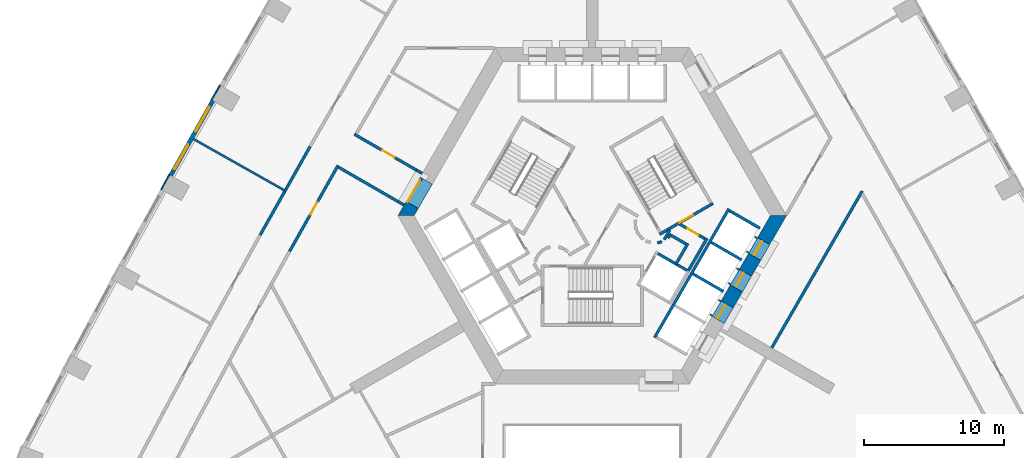
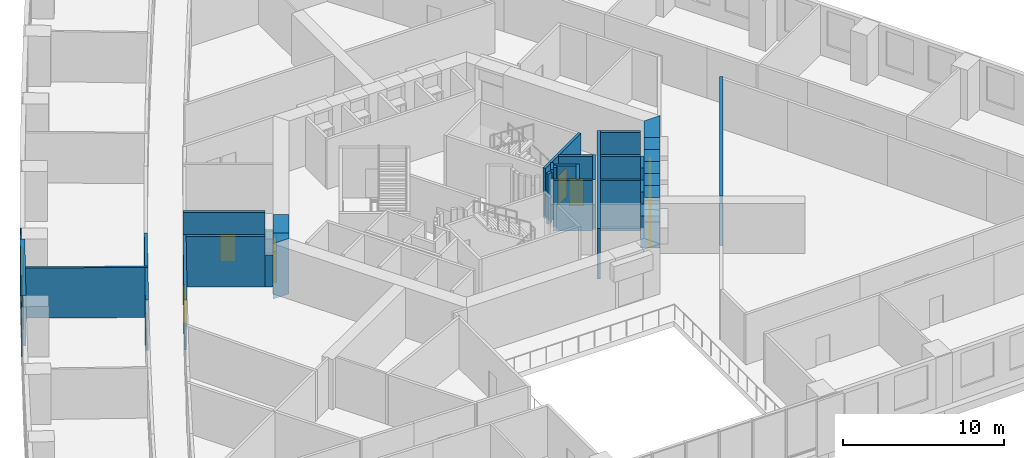
# One storey, part 7 of 16: 37 walls, 8 doors, 2 windows, 10 openings.
"""IFC4 building model written with IfcOpenShell, lengths in metres."""

from ifc_helpers import new_model, si_unit, direction, frame, frame_2d, origin, place, context, subcontext, project, spatial, polyline, rectangle, outline, extrude, material, layer, layer_set, type_object, element, fill, save


model = new_model("IFC4")

# Units and contexts
model_context = context("Model", 3, precision=1e-05, world=origin(), true_north=direction((0.0, 1.0)))
body_context = subcontext(model_context, "Body", "Model", "MODEL_VIEW")
ifc_project = project(units=[si_unit("LENGTHUNIT", "METRE"), si_unit("AREAUNIT", "SQUARE_METRE"), si_unit("VOLUMEUNIT", "CUBIC_METRE"), si_unit("PLANEANGLEUNIT", "RADIAN"), si_unit("MASSUNIT", "GRAM", prefix="KILO")], contexts=[model_context])

# Site, building, storey
site_placement = place(None, origin())
site = spatial("IfcSite", under=ifc_project, at=site_placement, CompositionType="ELEMENT")
building_placement = place(site_placement, origin())
building = spatial("IfcBuilding", under=site, at=building_placement, Name="Entoto Arch Interchange Tower", CompositionType="ELEMENT")
storey_placement = place(building_placement, frame((0.0, 0.0, 47.60009765625)))
storey = spatial("IfcBuildingStorey", under=building, at=storey_placement, Name="L09", CompositionType="ELEMENT", Elevation=47.60009765625)

# Wall, opening, door
ifc_material_1 = material(Name="Reinforced concrete C40/50", Category="concrete")
ifc_layer_1 = layer(ifc_material_1, 0.199951171875)
ifc_layer_set_1 = layer_set([ifc_layer_1], Name="Reinforced concrete C40/50")
wall_type_1 = type_object("IfcWallType", Name="CORE GAP INFILL WALL", PredefinedType="PARTITIONING", material=ifc_layer_set_1)
wall_1_placement = place(storey_placement, frame((-12.179931640625, 5.201904296875, 0.0), z_axis=(0.0, 0.0, 1.0), x_axis=(-0.50002537861, -0.866010750942, 0.0)))
wall_1 = element("IfcWall", 1, at=wall_1_placement, inside=storey, type_object=wall_type_1, Name="wall:L09:gap3", PredefinedType="PARTITIONING", context=body_context, shape_type="SweptSolid", body=[
    extrude(rectangle(XDim=2.0, YDim=0.199951171875, at=frame_2d((1.0, 0.0))), origin(), (0.0, 0.0, 1.0), 2.39990234375),
])
opening_1_placement = place(wall_1_placement, frame((0.18994140625, 0.0, 0.0)))
opening_1 = element("IfcOpeningElement", 2, at=opening_1_placement, cuts=wall_1, Name="Opening L09-D93", PredefinedType="OPENING", context=body_context, shape_type="SweptSolid", body=[
    extrude(rectangle(XDim=1.800048828125, YDim=2.10009765625, at=frame_2d((0.89990234375, 1.050048828125))), frame((0.0, 0.10986328125, 0.0), z_axis=(0.0, -1.0, 0.0), x_axis=(1.0, 0.0, 0.0)), (0.0, 0.0, 1.0), 0.219970703125),
])
ifc_material_2 = material(Name="Fire-rated Steel S235 door and frame", Category="steel")
door_type_1 = type_object("IfcDoorType", Name="DOOR FD-18 1800x2100", OperationType="DOUBLE_DOOR_SINGLE_SWING", PredefinedType="DOOR", material=ifc_material_2)
door_1_placement = place(opening_1_placement, origin())
door_1 = element("IfcDoor", 3, at=door_1_placement, inside=storey, type_object=door_type_1, Name="door:L09:gap3", OperationType="DOUBLE_DOOR_SINGLE_SWING", OverallHeight=2.10009765625, OverallWidth=1.800048828125, PredefinedType="DOOR", context=body_context, shape_type="SweptSolid", body=[
    extrude(rectangle(XDim=1.800048828125, YDim=2.10009765625, at=frame_2d((0.89990234375, 1.050048828125))), frame((0.0, 0.02490234375, 0.0), z_axis=(0.0, -1.0, 0.0), x_axis=(1.0, 0.0, 0.0)), (0.0, 0.0, 1.0), 0.050048828125),
])
fill(opening_1, door_1)

# Walls
ifc_material_3 = material(Name="Concrete C60/75", Category="concrete")
ifc_layer_2 = layer(ifc_material_3, 1.0)
ifc_layer_set_2 = layer_set([ifc_layer_2], Name="Concrete C60/75")
wall_type_2 = type_object("IfcWallType", Name="Core wall 1000 C60/75", PredefinedType="SHEAR", material=ifc_layer_set_2)
wall_2_placement = place(storey_placement, frame((0.0, 0.0, -0.400146484375)))
element("IfcWall", 4, at=wall_2_placement, inside=storey, type_object=wall_type_2, Name="Core wall NW L09", PredefinedType="SHEAR", context=body_context, shape_type="SweptSolid", body=[
    extrude(outline(polyline([(-12.402099609375, 3.02001953125), (-13.26708984375, 3.52001953125), (-13.85595703125, 2.5), (-12.701904296875, 2.5), (-12.402099609375, 3.02001953125)])), origin(), (0.0, 0.0, 1.0), 4.199951171875),
])
wall_3_placement = place(storey_placement, frame((0.0, 0.0, 3.599853515625)))
element("IfcWall", 5, at=wall_3_placement, inside=storey, type_object=wall_type_2, Name="Core wall lintel NW L09", PredefinedType="SHEAR", context=body_context, shape_type="SweptSolid", body=[
    extrude(outline(polyline([(-13.26708984375, 3.52001953125), (-12.402099609375, 3.02001953125), (-11.402099609375, 4.751953125), (-12.26708984375, 5.251953125), (-13.26708984375, 3.52001953125)])), origin(), (0.0, 0.0, 1.0), 0.199951171875),
])
wall_4_placement = place(storey_placement, frame((0.0, 0.0, -0.400146484375)))
element("IfcWall", 6, at=wall_4_placement, inside=storey, type_object=wall_type_2, Name="Core wall SE L09", PredefinedType="SHEAR", context=body_context, shape_type="SweptSolid", body=[
    extrude(outline(polyline([(10.717041015625, -2.93701171875), (9.85107421875, -2.43701171875), (9.200927734375, -3.56298828125), (10.06689453125, -4.06298828125), (10.717041015625, -2.93701171875)])), origin(), (0.0, 0.0, 1.0), 4.199951171875),
])
wall_5_placement = place(storey_placement, frame((0.0, 0.0, -0.400146484375)))
element("IfcWall", 7, at=wall_5_placement, inside=storey, type_object=wall_type_2, Name="Core wall SE L09", PredefinedType="SHEAR", context=body_context, shape_type="SweptSolid", body=[
    extrude(outline(polyline([(12.01708984375, -0.68603515625), (11.15087890625, -0.18603515625), (10.5009765625, -1.31103515625), (11.366943359375, -1.81103515625), (12.01708984375, -0.68603515625)])), origin(), (0.0, 0.0, 1.0), 4.199951171875),
])
wall_6_placement = place(storey_placement, frame((0.0, 0.0, -0.400146484375)))
element("IfcWall", 8, at=wall_6_placement, inside=storey, type_object=wall_type_2, Name="Core wall SE L09", PredefinedType="SHEAR", context=body_context, shape_type="SweptSolid", body=[
    extrude(outline(polyline([(11.801025390625, 0.93994140625), (12.6669921875, 0.43994140625), (13.85595703125, 2.5), (12.701904296875, 2.5), (11.801025390625, 0.93994140625)])), origin(), (0.0, 0.0, 1.0), 4.199951171875),
])
wall_7_placement = place(storey_placement, frame((0.0, 0.0, 3.599853515625)))
element("IfcWall", 9, at=wall_7_placement, inside=storey, type_object=wall_type_2, Name="Core wall lintel SE L09", PredefinedType="SHEAR", context=body_context, shape_type="SweptSolid", body=[
    extrude(outline(polyline([(10.06689453125, -4.06298828125), (9.200927734375, -3.56298828125), (8.551025390625, -4.68896484375), (9.4169921875, -5.18896484375), (10.06689453125, -4.06298828125)])), origin(), (0.0, 0.0, 1.0), 0.199951171875),
])
wall_8_placement = place(storey_placement, frame((0.0, 0.0, 3.599853515625)))
element("IfcWall", 10, at=wall_8_placement, inside=storey, type_object=wall_type_2, Name="Core wall lintel SE L09", PredefinedType="SHEAR", context=body_context, shape_type="SweptSolid", body=[
    extrude(outline(polyline([(11.366943359375, -1.81103515625), (10.5009765625, -1.31103515625), (9.85107421875, -2.43701171875), (10.717041015625, -2.93701171875), (11.366943359375, -1.81103515625)])), origin(), (0.0, 0.0, 1.0), 0.199951171875),
])
wall_9_placement = place(storey_placement, frame((0.0, 0.0, 3.599853515625)))
element("IfcWall", 11, at=wall_9_placement, inside=storey, type_object=wall_type_2, Name="Core wall lintel SE L09", PredefinedType="SHEAR", context=body_context, shape_type="SweptSolid", body=[
    extrude(outline(polyline([(12.6669921875, 0.43994140625), (11.801025390625, 0.93994140625), (11.15087890625, -0.18603515625), (12.01708984375, -0.68603515625), (12.6669921875, 0.43994140625)])), origin(), (0.0, 0.0, 1.0), 0.199951171875),
])

# Wall, opening, door
ifc_material_4 = material(Name="Concrete C40/50", Category="concrete")
ifc_layer_3 = layer(ifc_material_4, 1.199951171875)
ifc_layer_set_3 = layer_set([ifc_layer_3], Name="Concrete C40/50")
wall_type_3 = type_object("IfcWallType", Name="LIFT LANDING INFILL WALL", PredefinedType="STANDARD", material=ifc_layer_set_3)
wall_10_placement = place(storey_placement, frame((8.89794921875, -4.888916015625, 0.0), z_axis=(0.0, 0.0, 1.0), x_axis=(0.500036693733, 0.866004217611, 0.0)))
wall_10 = element("IfcWall", 12, at=wall_10_placement, inside=storey, type_object=wall_type_3, Name="Lift landing infill wall LR6 L09", PredefinedType="STANDARD", context=body_context, shape_type="SweptSolid", body=[
    extrude(rectangle(XDim=1.30029296875, YDim=1.199951171875, at=frame_2d((0.650146484375, 0.0))), origin(), (0.0, 0.0, 1.0), 2.39990234375),
])
opening_2_placement = place(wall_10_placement, frame((0.10009765625, 0.0, 0.0)))
opening_2 = element("IfcOpeningElement", 13, at=opening_2_placement, cuts=wall_10, Name="Opening LD-LR6-L09", PredefinedType="OPENING", context=body_context, shape_type="SweptSolid", body=[
    extrude(rectangle(XDim=1.10009765625, YDim=2.300048828125, at=frame_2d((0.550048828125, 1.14990234375))), frame((0.0, 0.60986328125, 0.0), z_axis=(0.0, -1.0, 0.0), x_axis=(1.0, 0.0, 0.0)), (0.0, 0.0, 1.0), 1.219970703125),
])
ifc_material_5 = material(Name="Stainless steel 1.4301 panels", Category="steel")
door_type_2 = type_object("IfcDoorType", Name="LIFT LANDING DOOR LD2 1100x2300", OperationType="SLIDING_TO_LEFT", PredefinedType="DOOR", material=ifc_material_5)
door_2_placement = place(opening_2_placement, origin())
door_2 = element("IfcDoor", 14, at=door_2_placement, inside=storey, type_object=door_type_2, Name="Lift landing door LR6 L09", OperationType="SLIDING_TO_LEFT", OverallHeight=2.300048828125, OverallWidth=1.10009765625, PredefinedType="DOOR", context=body_context, shape_type="SweptSolid", body=[
    extrude(rectangle(XDim=1.10009765625, YDim=2.300048828125, at=frame_2d((0.550048828125, 1.14990234375))), frame((0.0, 0.02490234375, 0.0), z_axis=(0.0, -1.0, 0.0), x_axis=(1.0, 0.0, 0.0)), (0.0, 0.0, 1.0), 0.050048828125),
])
fill(opening_2, door_2)

wall_11_placement = place(storey_placement, frame((10.197998046875, -2.636962890625, 0.0), z_axis=(0.0, 0.0, 1.0), x_axis=(0.49989585183, 0.866085525409, 0.0)))
wall_11 = element("IfcWall", 15, at=wall_11_placement, inside=storey, type_object=wall_type_3, Name="Lift landing infill wall LR7 L09", PredefinedType="STANDARD", context=body_context, shape_type="SweptSolid", body=[
    extrude(rectangle(XDim=1.300048828125, YDim=1.199951171875, at=frame_2d((0.64990234375, 0.0))), origin(), (0.0, 0.0, 1.0), 2.39990234375),
])
opening_3_placement = place(wall_11_placement, frame((0.10009765625, 0.0, 0.0)))
opening_3 = element("IfcOpeningElement", 16, at=opening_3_placement, cuts=wall_11, Name="Opening LD-LR7-L09", PredefinedType="OPENING", context=body_context, shape_type="SweptSolid", body=[
    extrude(rectangle(XDim=1.10009765625, YDim=2.300048828125, at=frame_2d((0.550048828125, 1.14990234375))), frame((0.0, 0.60986328125, 0.0), z_axis=(0.0, -1.0, 0.0), x_axis=(1.0, 0.0, 0.0)), (0.0, 0.0, 1.0), 1.219970703125),
])
door_3_placement = place(opening_3_placement, origin())
door_3 = element("IfcDoor", 17, at=door_3_placement, inside=storey, type_object=door_type_2, Name="Lift landing door LR7 L09", OperationType="SLIDING_TO_LEFT", OverallHeight=2.300048828125, OverallWidth=1.10009765625, PredefinedType="DOOR", context=body_context, shape_type="SweptSolid", body=[
    extrude(rectangle(XDim=1.10009765625, YDim=2.300048828125, at=frame_2d((0.550048828125, 1.14990234375))), frame((0.0, 0.02490234375, 0.0), z_axis=(0.0, -1.0, 0.0), x_axis=(1.0, 0.0, 0.0)), (0.0, 0.0, 1.0), 0.050048828125),
])
fill(opening_3, door_3)

wall_12_placement = place(storey_placement, frame((11.498046875, -0.385009765625, 0.0), z_axis=(0.0, 0.0, 1.0), x_axis=(0.500221244143, 0.865897630733, 0.0)))
wall_12 = element("IfcWall", 18, at=wall_12_placement, inside=storey, type_object=wall_type_3, Name="Lift landing infill wall LR8 L09", PredefinedType="STANDARD", context=body_context, shape_type="SweptSolid", body=[
    extrude(rectangle(XDim=1.29931640625, YDim=1.199951171875, at=frame_2d((0.649658203125, 0.0))), origin(), (0.0, 0.0, 1.0), 2.39990234375),
])
opening_4_placement = place(wall_12_placement, frame((0.10009765625, 0.0, 0.0)))
opening_4 = element("IfcOpeningElement", 19, at=opening_4_placement, cuts=wall_12, Name="Opening LD-LR8-L09", PredefinedType="OPENING", context=body_context, shape_type="SweptSolid", body=[
    extrude(rectangle(XDim=1.10009765625, YDim=2.300048828125, at=frame_2d((0.550048828125, 1.14990234375))), frame((0.0, 0.60986328125, 0.0), z_axis=(0.0, -1.0, 0.0), x_axis=(1.0, 0.0, 0.0)), (0.0, 0.0, 1.0), 1.219970703125),
])
door_4_placement = place(opening_4_placement, origin())
door_4 = element("IfcDoor", 20, at=door_4_placement, inside=storey, type_object=door_type_2, Name="Lift landing door LR8 L09", OperationType="SLIDING_TO_LEFT", OverallHeight=2.300048828125, OverallWidth=1.10009765625, PredefinedType="DOOR", context=body_context, shape_type="SweptSolid", body=[
    extrude(rectangle(XDim=1.10009765625, YDim=2.300048828125, at=frame_2d((0.550048828125, 1.14990234375))), frame((0.0, 0.02490234375, 0.0), z_axis=(0.0, -1.0, 0.0), x_axis=(1.0, 0.0, 0.0)), (0.0, 0.0, 1.0), 0.050048828125),
])
fill(opening_4, door_4)

# Walls
ifc_layer_4 = layer(ifc_material_4, 0.199951171875)
ifc_layer_set_4 = layer_set([ifc_layer_4], Name="Concrete C40/50")
wall_type_4 = type_object("IfcWallType", Name="LIFT SHAFT WALL 200", PredefinedType="STANDARD", material=ifc_layer_set_4)
wall_13_placement = place(storey_placement, frame((4.677001953125, -0.199951171875, 0.0), z_axis=(0.0, 0.0, 1.0), x_axis=(0.865973769406, -0.500089422704, 0.0)))
element("IfcWall", 21, at=wall_13_placement, inside=storey, type_object=wall_type_4, Name="Shaft wall SE1 cross 2", PredefinedType="STANDARD", context=body_context, shape_type="SweptSolid", body=[
    extrude(rectangle(XDim=2.3994140625, YDim=0.199951171875, at=frame_2d((1.19970703125, 0.0))), origin(), (0.0, 0.0, 1.0), 3.7998046875),
])
wall_14_placement = place(storey_placement, frame((4.450927734375, -6.18994140625, 0.0), z_axis=(0.0, 0.0, 1.0), x_axis=(0.50000090737, 0.866024879913, 0.0)))
element("IfcWall", 22, at=wall_14_placement, inside=storey, type_object=wall_type_4, Name="Shaft wall SE3 front", PredefinedType="STANDARD", context=body_context, shape_type="SweptSolid", body=[
    extrude(rectangle(XDim=10.60009765625, YDim=0.199951171875, at=frame_2d((5.300048828125, 0.0))), origin(), (0.0, 0.0, 1.0), 3.7998046875),
])
for number, where, z_axis, x_axis, name in (
    (23, (7.18798828125, -1.64990234375, 0.0), (0.0, 0.0, 1.0), (0.866022959057, -0.500004234368, 0.0), "Shaft wall SE3 cross 3"),
    (24, (8.488037109375, 0.60205078125, 0.0), (0.0, 0.0, 1.0), (0.866022959057, -0.500004234368, 0.0), "Shaft wall SE3 cross 4"),
):
    element("IfcWall", number, at=place(storey_placement, frame(where, z_axis=z_axis, x_axis=x_axis)), inside=storey, type_object=wall_type_4, Name=name, PredefinedType="STANDARD", context=body_context, shape_type="SweptSolid", body=[
        extrude(rectangle(XDim=2.5, YDim=0.199951171875, at=frame_2d((1.25, 0.0))), origin(), (0.0, 0.0, 1.0), 3.7998046875),
    ])
wall_15_placement = place(storey_placement, frame((9.7880859375, 2.85302734375, 0.0), z_axis=(0.0, 0.0, 1.0), x_axis=(0.865998541277, -0.500046524342, 0.0)))
element("IfcWall", 25, at=wall_15_placement, inside=storey, type_object=wall_type_4, Name="Shaft wall SE3 cross 5", PredefinedType="STANDARD", context=body_context, shape_type="SweptSolid", body=[
    extrude(rectangle(XDim=2.499755859375, YDim=0.199951171875, at=frame_2d((1.25, 0.0))), origin(), (0.0, 0.0, 1.0), 3.7998046875),
])
ifc_material_6 = material(Name="Gypsum board partition on steel studs", Category="steel")
ifc_layer_5 = layer(ifc_material_6, 0.14990234375)
ifc_layer_set_5 = layer_set([ifc_layer_5], Name="Gypsum board partition on steel studs")
wall_type_5 = type_object("IfcWallType", Name="PARTITION 150", PredefinedType="PARTITIONING", material=ifc_layer_set_5)
wall_16_placement = place(storey_placement, frame((-21.81298828125, 4.23095703125, 0.0), z_axis=(0.0, 0.0, 1.0), x_axis=(-0.870901264369, 0.491458022337, 0.0)))
element("IfcWall", 26, at=wall_16_placement, inside=storey, type_object=wall_type_5, Name="wall:L09:p142", PredefinedType="PARTITIONING", context=body_context, shape_type="SweptSolid", body=[
    extrude(rectangle(XDim=7.60009765625, YDim=0.14990234375, at=frame_2d((3.800048828125, 0.0))), origin(), (0.0, 0.0, 1.0), 3.7998046875),
])

# Wall, opening, door
ifc_layer_6 = layer(ifc_material_6, 0.199951171875)
ifc_layer_set_6 = layer_set([ifc_layer_6], Name="Gypsum board partition on steel studs")
wall_type_6 = type_object("IfcWallType", Name="PARTITION 200", PredefinedType="PARTITIONING", material=ifc_layer_set_6)
wall_17_placement = place(storey_placement, frame((-16.9599609375, 8.30810546875, 0.0), z_axis=(0.0, 0.0, 1.0), x_axis=(0.866018717003, -0.500011581666, 0.0)))
wall_17 = element("IfcWall", 27, at=wall_17_placement, inside=storey, type_object=wall_type_6, Name="wall:L09:p002", PredefinedType="PARTITIONING", context=body_context, shape_type="SweptSolid", body=[
    extrude(rectangle(XDim=5.09228515625, YDim=0.199951171875, at=frame_2d((2.546142578125, 0.0))), origin(), (0.0, 0.0, 1.0), 3.7998046875),
])
opening_5_placement = place(wall_17_placement, frame((2.2958984375, 0.0, 0.0)))
opening_5 = element("IfcOpeningElement", 28, at=opening_5_placement, cuts=wall_17, Name="Opening L09-D27", PredefinedType="OPENING", context=body_context, shape_type="SweptSolid", body=[
    extrude(rectangle(XDim=1.0, YDim=2.10009765625, at=frame_2d((0.5, 1.050048828125))), frame((0.0, 0.10986328125, 0.0), z_axis=(0.0, -1.0, 0.0), x_axis=(1.0, 0.0, 0.0)), (0.0, 0.0, 1.0), 0.219970703125),
])
ifc_material_7 = material(Name="Timber door leaf in Steel S235 frame", Category="steel")
door_type_3 = type_object("IfcDoorType", Name="DOOR DS-10 1000x2100", OperationType="SINGLE_SWING_LEFT", PredefinedType="DOOR", material=ifc_material_7)
door_5_placement = place(opening_5_placement, origin())
door_5 = element("IfcDoor", 29, at=door_5_placement, inside=storey, type_object=door_type_3, Name="door:L09:27", OperationType="SINGLE_SWING_LEFT", OverallHeight=2.10009765625, OverallWidth=1.0, PredefinedType="DOOR", context=body_context, shape_type="SweptSolid", body=[
    extrude(rectangle(XDim=1.0, YDim=2.10009765625, at=frame_2d((0.5, 1.050048828125))), frame((0.0, 0.02490234375, 0.0), z_axis=(0.0, -1.0, 0.0), x_axis=(1.0, 0.0, 0.0)), (0.0, 0.0, 1.0), 0.050048828125),
])
fill(opening_5, door_5)

# Wall
wall_18_placement = place(storey_placement, frame((-13.4169921875, 3.260009765625, 0.0), z_axis=(0.0, 0.0, 1.0), x_axis=(-0.866071776036, 0.499919672301, 0.0)))
element("IfcWall", 30, at=wall_18_placement, inside=storey, type_object=wall_type_6, Name="wall:L09:p025", PredefinedType="PARTITIONING", context=body_context, shape_type="SweptSolid", body=[
    extrude(rectangle(XDim=0.5, YDim=0.199951171875, at=frame_2d((0.25, 0.0))), origin(), (0.0, 0.0, 1.0), 2.39990234375),
])

# Wall, opening, door
wall_19_placement = place(storey_placement, frame((-18.1220703125, 6.092041015625, 0.0), z_axis=(0.0, 0.0, 1.0), x_axis=(-0.491430359405, -0.870916874251, 0.0)))
wall_19 = element("IfcWall", 31, at=wall_19_placement, inside=storey, type_object=wall_type_6, Name="wall:L09:p026", PredefinedType="PARTITIONING", context=body_context, shape_type="SweptSolid", body=[
    extrude(rectangle(XDim=7.046630859375, YDim=0.199951171875, at=frame_2d((3.5234375, 0.0))), origin(), (0.0, 0.0, 1.0), 3.7998046875),
])
opening_6_placement = place(wall_19_placement, frame((3.02392578125, 0.0, 0.0)))
opening_6 = element("IfcOpeningElement", 32, at=opening_6_placement, cuts=wall_19, Name="Opening L09-D21", PredefinedType="OPENING", context=body_context, shape_type="SweptSolid", body=[
    extrude(rectangle(XDim=1.0, YDim=2.10009765625, at=frame_2d((0.5, 1.050048828125))), frame((0.0, 0.10986328125, 0.0), z_axis=(0.0, -1.0, 0.0), x_axis=(1.0, 0.0, 0.0)), (0.0, 0.0, 1.0), 0.219970703125),
])
door_6_placement = place(opening_6_placement, origin())
door_6 = element("IfcDoor", 33, at=door_6_placement, inside=storey, type_object=door_type_3, Name="door:L09:21", OperationType="SINGLE_SWING_LEFT", OverallHeight=2.10009765625, OverallWidth=1.0, PredefinedType="DOOR", context=body_context, shape_type="SweptSolid", body=[
    extrude(rectangle(XDim=1.0, YDim=2.10009765625, at=frame_2d((0.5, 1.050048828125))), frame((0.0, 0.02490234375, 0.0), z_axis=(0.0, -1.0, 0.0), x_axis=(1.0, 0.0, 0.0)), (0.0, 0.0, 1.0), 0.050048828125),
])
fill(opening_6, door_6)

# Walls
wall_20_placement = place(storey_placement, frame((-21.863037109375, 4.344970703125, 0.0), z_axis=(0.0, 0.0, 1.0), x_axis=(0.491394823876, 0.87093692485, 0.0)))
element("IfcWall", 34, at=wall_20_placement, inside=storey, type_object=wall_type_6, Name="wall:L09:p064", PredefinedType="PARTITIONING", context=body_context, shape_type="SweptSolid", body=[
    extrude(rectangle(XDim=3.546875, YDim=0.199951171875, at=frame_2d((1.7734375, 0.0))), origin(), (0.0, 0.0, 1.0), 3.7998046875),
])
wall_21_placement = place(storey_placement, frame((-23.680908203125, 1.1240234375, 0.0), z_axis=(0.0, 0.0, 1.0), x_axis=(0.491485799319, 0.870885588965, 0.0)))
element("IfcWall", 35, at=wall_21_placement, inside=storey, type_object=wall_type_6, Name="wall:L09:p068", PredefinedType="PARTITIONING", context=body_context, shape_type="SweptSolid", body=[
    extrude(rectangle(XDim=3.548095703125, YDim=0.199951171875, at=frame_2d((1.77392578125, 0.0))), origin(), (0.0, 0.0, 1.0), 3.7998046875),
])
wall_22_placement = place(storey_placement, frame((5.389892578125, 0.89794921875, 0.0), z_axis=(0.0, 0.0, 1.0), x_axis=(0.673828488714, 0.738887791073, 0.0)))
element("IfcWall", 36, at=wall_22_placement, inside=storey, type_object=wall_type_6, Name="wall:L09:p079", PredefinedType="PARTITIONING", context=body_context, shape_type="SweptSolid", body=[
    extrude(rectangle(XDim=0.2626953125, YDim=0.199951171875, at=frame_2d((0.13134765625, 0.0))), origin(), (0.0, 0.0, 1.0), 3.7998046875),
])
wall_23_placement = place(storey_placement, frame((5.4990234375, 1.172119140625, 0.0), z_axis=(0.0, 0.0, 1.0), x_axis=(0.866333505267, -0.499465972466, 0.0)))
element("IfcWall", 37, at=wall_23_placement, inside=storey, type_object=wall_type_6, Name="wall:L09:p080", PredefinedType="PARTITIONING", context=body_context, shape_type="SweptSolid", body=[
    extrude(rectangle(XDim=1.37353515625, YDim=0.199951171875, at=frame_2d((0.686767578125, 0.0))), origin(), (0.0, 0.0, 1.0), 3.7998046875),
])
wall_24_placement = place(storey_placement, frame((6.825927734375, 0.52197265625, 0.0), z_axis=(0.0, 0.0, 1.0), x_axis=(-0.500016722714, -0.866015748706, 0.0)))
element("IfcWall", 38, at=wall_24_placement, inside=storey, type_object=wall_type_6, Name="wall:L09:p081", PredefinedType="PARTITIONING", context=body_context, shape_type="SweptSolid", body=[
    extrude(rectangle(XDim=1.69970703125, YDim=0.199951171875, at=frame_2d((0.849853515625, 0.0))), origin(), (0.0, 0.0, 1.0), 3.7998046875),
])

# Wall, opening, door
wall_25_placement = place(storey_placement, frame((6.25, 1.89404296875, 0.0), z_axis=(0.0, 0.0, 1.0), x_axis=(0.866043184279, -0.499969202016, 0.0)))
wall_25 = element("IfcWall", 39, at=wall_25_placement, inside=storey, type_object=wall_type_6, Name="wall:L09:p082", PredefinedType="PARTITIONING", context=body_context, shape_type="SweptSolid", body=[
    extrude(rectangle(XDim=2.084228515625, YDim=0.199951171875, at=frame_2d((1.0419921875, 0.0))), origin(), (0.0, 0.0, 1.0), 3.7998046875),
])
opening_7_placement = place(wall_25_placement, frame((0.64208984375, 0.0, 0.0)))
opening_7 = element("IfcOpeningElement", 40, at=opening_7_placement, cuts=wall_25, Name="Opening L09-D33", PredefinedType="OPENING", context=body_context, shape_type="SweptSolid", body=[
    extrude(rectangle(XDim=0.89990234375, YDim=2.10009765625, at=frame_2d((0.449951171875, 1.050048828125))), frame((0.0, 0.10986328125, 0.0), z_axis=(0.0, -1.0, 0.0), x_axis=(1.0, 0.0, 0.0)), (0.0, 0.0, 1.0), 0.219970703125),
])
door_type_4 = type_object("IfcDoorType", Name="DOOR DS-09 900x2100", OperationType="SINGLE_SWING_LEFT", PredefinedType="DOOR", material=ifc_material_7)
door_7_placement = place(opening_7_placement, origin())
door_7 = element("IfcDoor", 41, at=door_7_placement, inside=storey, type_object=door_type_4, Name="door:L09:33", OperationType="SINGLE_SWING_LEFT", OverallHeight=2.10009765625, OverallWidth=0.89990234375, PredefinedType="DOOR", context=body_context, shape_type="SweptSolid", body=[
    extrude(rectangle(XDim=0.89990234375, YDim=2.10009765625, at=frame_2d((0.449951171875, 1.050048828125))), frame((0.0, 0.02490234375, 0.0), z_axis=(0.0, -1.0, 0.0), x_axis=(1.0, 0.0, 0.0)), (0.0, 0.0, 1.0), 0.050048828125),
])
fill(opening_7, door_7)

# Walls
wall_26_placement = place(storey_placement, frame((8.19189453125, 0.887939453125, 0.0), z_axis=(0.0, 0.0, 1.0), x_axis=(-0.499940625693, -0.866059680843, 0.0)))
element("IfcWall", 42, at=wall_26_placement, inside=storey, type_object=wall_type_6, Name="wall:L09:p083", PredefinedType="PARTITIONING", context=body_context, shape_type="SweptSolid", body=[
    extrude(rectangle(XDim=2.679931640625, YDim=0.199951171875, at=frame_2d((1.33984375, 0.0))), origin(), (0.0, 0.0, 1.0), 3.7998046875),
])
wall_27_placement = place(storey_placement, frame((5.135009765625, 0.79296875, 0.0), z_axis=(0.0, 0.0, 1.0), x_axis=(0.499526442893, 0.866298639529, 0.0)))
element("IfcWall", 43, at=wall_27_placement, inside=storey, type_object=wall_type_6, Name="wall:L09:p084", PredefinedType="PARTITIONING", context=body_context, shape_type="SweptSolid", body=[
    extrude(rectangle(XDim=0.790771484375, YDim=0.199951171875, at=frame_2d((0.3955078125, 0.0))), origin(), (0.0, 0.0, 1.0), 3.7998046875),
])
wall_28_placement = place(storey_placement, frame((4.64404296875, 0.56396484375, 0.0), z_axis=(0.0, 0.0, 1.0), x_axis=(0.969929076366, 0.243387729394, 0.0)))
element("IfcWall", 44, at=wall_28_placement, inside=storey, type_object=wall_type_6, Name="wall:L09:p101", PredefinedType="PARTITIONING", context=body_context, shape_type="SweptSolid", body=[
    extrude(rectangle(XDim=0.337158203125, YDim=0.199951171875, at=frame_2d((0.16845703125, 0.0))), origin(), (0.0, 0.0, 1.0), 3.7998046875),
])
wall_29_placement = place(storey_placement, frame((19.257080078125, 4.2548828125, 0.0), z_axis=(0.0, 0.0, 1.0), x_axis=(-0.499978317034, -0.866037922089, 0.0)))
element("IfcWall", 45, at=wall_29_placement, inside=storey, type_object=wall_type_6, Name="wall:L09:p118", PredefinedType="PARTITIONING", context=body_context, shape_type="SweptSolid", body=[
    extrude(rectangle(XDim=12.91259765625, YDim=0.199951171875, at=frame_2d((6.456298828125, 0.0))), origin(), (0.0, 0.0, 1.0), 3.7998046875),
])
wall_30_placement = place(storey_placement, frame((-12.550048828125, 5.761962890625, 0.0), z_axis=(0.0, 0.0, 1.0), x_axis=(0.866071776036, -0.499919672301, 0.0)))
element("IfcWall", 46, at=wall_30_placement, inside=storey, type_object=wall_type_6, Name="wall:L09:p002", PredefinedType="PARTITIONING", context=body_context, shape_type="SweptSolid", body=[
    extrude(rectangle(XDim=0.5, YDim=0.199951171875, at=frame_2d((0.25, 0.0))), origin(), (0.0, 0.0, 1.0), 2.39990234375),
])
wall_31_placement = place(storey_placement, frame((-13.85009765625, 3.510009765625, 0.0), z_axis=(0.0, 0.0, 1.0), x_axis=(-0.865969361037, 0.500097056325, 0.0)))
element("IfcWall", 47, at=wall_31_placement, inside=storey, type_object=wall_type_6, Name="wall:L09:p025", PredefinedType="PARTITIONING", context=body_context, shape_type="SweptSolid", body=[
    extrude(rectangle(XDim=4.88916015625, YDim=0.199951171875, at=frame_2d((2.444580078125, 0.0))), origin(), (0.0, 0.0, 1.0), 3.7998046875),
])

# Wall, opening, door
ifc_layer_7 = layer(ifc_material_4, 0.199951171875)
ifc_layer_set_7 = layer_set([ifc_layer_7], Name="Concrete C40/50")
wall_type_7 = type_object("IfcWallType", Name="STAIR ENCLOSURE WALL 200", PredefinedType="STANDARD", material=ifc_layer_set_7)
wall_32_placement = place(storey_placement, frame((4.805908203125, 1.176025390625, 0.0), z_axis=(0.0, 0.0, 1.0), x_axis=(0.866059941101, 0.499940174841, 0.0)))
wall_32 = element("IfcWall", 48, at=wall_32_placement, inside=storey, type_object=wall_type_7, Name="Stair wall ST-NE near", PredefinedType="STANDARD", context=body_context, shape_type="SweptSolid", body=[
    extrude(rectangle(XDim=4.400390625, YDim=0.199951171875, at=frame_2d((2.2001953125, 0.0))), origin(), (0.0, 0.0, 1.0), 3.7998046875),
])
opening_8_placement = place(wall_32_placement, frame((1.64990234375, 0.0, 0.0)))
opening_8 = element("IfcOpeningElement", 49, at=opening_8_placement, cuts=wall_32, Name="Opening SD-ST-NE-L09-E", PredefinedType="OPENING", context=body_context, shape_type="SweptSolid", body=[
    extrude(rectangle(XDim=1.10009765625, YDim=2.199951171875, at=frame_2d((0.550048828125, 1.10009765625))), frame((0.0, 0.10986328125, 0.0), z_axis=(0.0, -1.0, 0.0), x_axis=(1.0, 0.0, 0.0)), (0.0, 0.0, 1.0), 0.219970703125),
])
ifc_material_8 = material(Name="Steel S235", Category="steel")
door_type_5 = type_object("IfcDoorType", Name="STAIR DOOR SD1 1100x2200", OperationType="SINGLE_SWING_LEFT", PredefinedType="DOOR", material=ifc_material_8)
door_8_placement = place(opening_8_placement, origin())
door_8 = element("IfcDoor", 50, at=door_8_placement, inside=storey, type_object=door_type_5, Name="Stair door ST-NE L09 end", OperationType="SINGLE_SWING_LEFT", OverallHeight=2.199951171875, OverallWidth=1.10009765625, PredefinedType="DOOR", context=body_context, shape_type="SweptSolid", body=[
    extrude(rectangle(XDim=1.10009765625, YDim=2.199951171875, at=frame_2d((0.550048828125, 1.10009765625))), frame((0.0, 0.02490234375, 0.0), z_axis=(0.0, -1.0, 0.0), x_axis=(1.0, 0.0, 0.0)), (0.0, 0.0, 1.0), 0.050048828125),
])
fill(opening_8, door_8)

# Wall, openings, windows
ifc_material_9 = material(Name="Welded tuff (ignimbrite) cladding, warm buff", Category="masonry")
ifc_layer_8 = layer(ifc_material_9, 0.300048828125)
ifc_layer_set_8 = layer_set([ifc_layer_8], Name="Welded tuff (ignimbrite) cladding, warm buff")
wall_type_8 = type_object("IfcWallType", Name="STONE INFILL WALL 300", PredefinedType="STANDARD", material=ifc_layer_set_8)
wall_33_placement = place(storey_placement, frame((-27.05810546875, 10.705078125, 0.0), z_axis=(0.0, 0.0, 1.0), x_axis=(-0.49151046248, -0.870871669807, 0.0)))
wall_33 = element("IfcWall", 51, at=wall_33_placement, inside=storey, type_object=wall_type_8, Name="Facade wall NW-06 L09", PredefinedType="STANDARD", context=body_context, shape_type="SweptSolid", body=[
    extrude(rectangle(XDim=6.12158203125, YDim=0.300048828125, at=frame_2d((3.060791015625, 0.0))), origin(), (0.0, 0.0, 1.0), 3.7998046875),
])
opening_9_placement = place(wall_33_placement, frame((0.530029296875, 0.0, 0.89990234375)))
opening_9 = element("IfcOpeningElement", 52, at=opening_9_placement, cuts=wall_33, Name="Opening WO-C", PredefinedType="OPENING", context=body_context, shape_type="SweptSolid", body=[
    extrude(rectangle(XDim=2.0, YDim=2.60009765625, at=frame_2d((1.0, 1.300048828125))), frame((0.0, 0.16015625, 0.0), z_axis=(0.0, -1.0, 0.0), x_axis=(1.0, 0.0, 0.0)), (0.0, 0.0, 1.0), 0.320068359375),
])
opening_10_placement = place(wall_33_placement, frame((3.591064453125, 0.0, 0.89990234375)))
opening_10 = element("IfcOpeningElement", 53, at=opening_10_placement, cuts=wall_33, Name="Opening WO-C", PredefinedType="OPENING", context=body_context, shape_type="SweptSolid", body=[
    extrude(rectangle(XDim=2.0, YDim=2.60009765625, at=frame_2d((1.0, 1.300048828125))), frame((0.0, 0.16015625, 0.0), z_axis=(0.0, -1.0, 0.0), x_axis=(1.0, 0.0, 0.0)), (0.0, 0.0, 1.0), 0.320068359375),
])
ifc_material_10 = material(Name="Clear glass, low-e double glazed", Category="glass")
window_type = type_object("IfcWindowType", Name="WINDOW WO-C 2000x2600", PartitioningType="DOUBLE_PANEL_VERTICAL", PredefinedType="WINDOW", material=ifc_material_10)
window_1_placement = place(opening_9_placement, origin())
window_1 = element("IfcWindow", 54, at=window_1_placement, inside=storey, type_object=window_type, Name="Window WO-C NW-06 L09", OverallHeight=2.60009765625, OverallWidth=2.0, PartitioningType="SINGLE_PANEL", PredefinedType="WINDOW", context=body_context, shape_type="SweptSolid", body=[
    extrude(rectangle(XDim=2.0, YDim=2.60009765625, at=frame_2d((1.0, 1.300048828125))), frame((0.0, 0.030029296875, 0.0), z_axis=(0.0, -1.0, 0.0), x_axis=(1.0, 0.0, 0.0)), (0.0, 0.0, 1.0), 0.06005859375),
])
fill(opening_9, window_1)
window_2_placement = place(opening_10_placement, origin())
window_2 = element("IfcWindow", 55, at=window_2_placement, inside=storey, type_object=window_type, Name="Window WO-C NW-06 L09", OverallHeight=2.60009765625, OverallWidth=2.0, PartitioningType="SINGLE_PANEL", PredefinedType="WINDOW", context=body_context, shape_type="SweptSolid", body=[
    extrude(rectangle(XDim=2.0, YDim=2.60009765625, at=frame_2d((1.0, 1.300048828125))), frame((0.0, 0.030029296875, 0.0), z_axis=(0.0, -1.0, 0.0), x_axis=(1.0, 0.0, 0.0)), (0.0, 0.0, 1.0), 0.06005859375),
])
fill(opening_10, window_2)

# Walls
ifc_layer_9 = layer(ifc_material_9, 0.10009765625)
ifc_layer_set_9 = layer_set([ifc_layer_9], Name="Welded tuff (ignimbrite) cladding, warm buff")
wall_type_9 = type_object("IfcWallType", Name="STONE PIER CLADDING 100", PredefinedType="STANDARD", material=ifc_layer_set_9)
wall_34_placement = place(storey_placement, frame((-26.552978515625, 11.797119140625, 0.0), z_axis=(0.0, 0.0, 1.0), x_axis=(-0.495766453659, -0.86845588456, 0.0)))
element("IfcWall", 56, at=wall_34_placement, inside=storey, type_object=wall_type_9, Name="Stone pier NW06 L09", PredefinedType="STANDARD", context=body_context, shape_type="SweptSolid", body=[
    extrude(rectangle(XDim=1.2001953125, YDim=0.10009765625, at=frame_2d((0.60009765625, 0.0))), origin(), (0.0, 0.0, 1.0), 3.7998046875),
])
wall_35_placement = place(storey_placement, frame((-30.156005859375, 5.425048828125, 0.0), z_axis=(0.0, 0.0, 1.0), x_axis=(-0.486730996044, -0.87355190887, 0.0)))
element("IfcWall", 57, at=wall_35_placement, inside=storey, type_object=wall_type_9, Name="Stone pier NW07 L09", PredefinedType="STANDARD", context=body_context, shape_type="SweptSolid", body=[
    extrude(rectangle(XDim=1.19970703125, YDim=0.10009765625, at=frame_2d((0.599853515625, 0.0))), origin(), (0.0, 0.0, 1.0), 3.7998046875),
])

save(model, "model.ifc")
